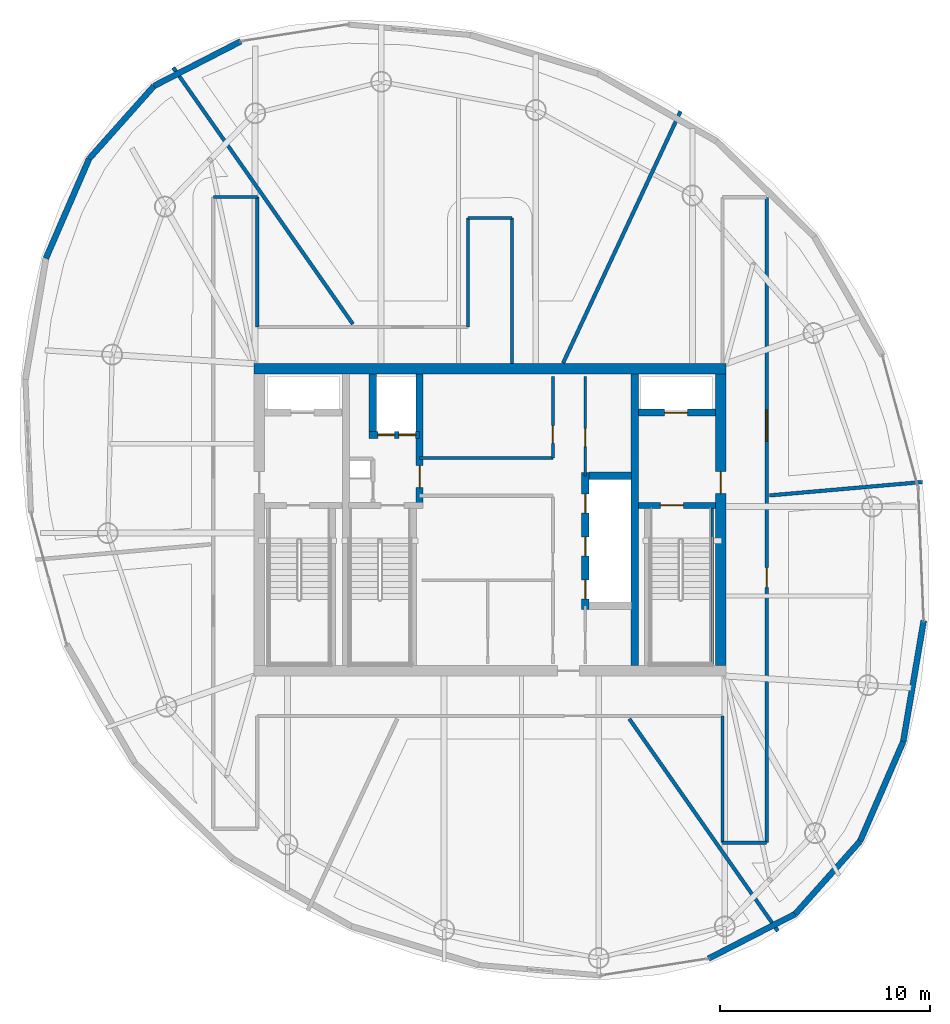
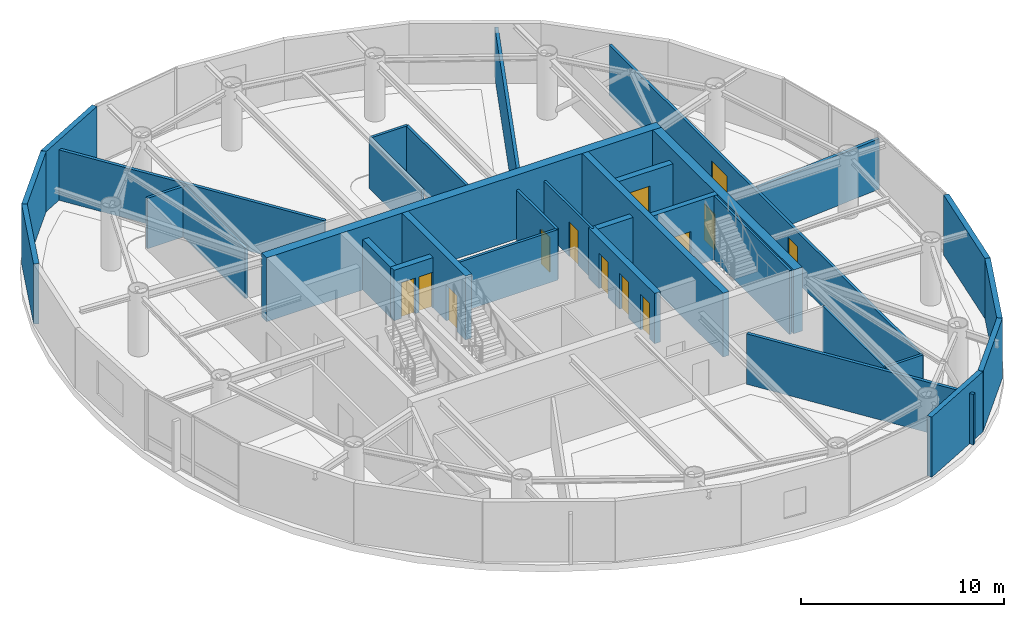
# One storey, part 15 of 20: 33 walls, 13 doors, 13 openings.
"""IFC4 building model written with IfcOpenShell, lengths in metres."""

from ifc_helpers import new_model, si_unit, direction, frame, frame_2d, origin, place, context, subcontext, project, spatial, rectangle, extrude, material, layer, layer_set, type_object, element, fill, save


model = new_model("IFC4")

# Units and contexts
model_context = context("Model", 3, precision=1e-05, world=origin(), true_north=direction((0.0, 1.0)))
body_context = subcontext(model_context, "Body", "Model", "MODEL_VIEW")
ifc_project = project(units=[si_unit("LENGTHUNIT", "METRE"), si_unit("AREAUNIT", "SQUARE_METRE"), si_unit("VOLUMEUNIT", "CUBIC_METRE"), si_unit("PLANEANGLEUNIT", "RADIAN"), si_unit("MASSUNIT", "GRAM", prefix="KILO")], contexts=[model_context])

# Site, building, storey
site_placement = place(None, origin())
site = spatial("IfcSite", under=ifc_project, at=site_placement, CompositionType="ELEMENT")
building_placement = place(site_placement, origin())
building = spatial("IfcBuilding", under=site, at=building_placement, Name="Bramvorn Convention Spire", CompositionType="ELEMENT")
storey_placement = place(building_placement, frame((0.0, 0.0, 242.050048828125)))
storey = spatial("IfcBuildingStorey", under=building, at=storey_placement, Name="L61", CompositionType="ELEMENT", Elevation=242.050048828125)

# Wall
ifc_material_1 = material(Name="Concrete C50/60", Category="concrete")
ifc_layer_1 = layer(ifc_material_1, 0.5)
ifc_layer_set_1 = layer_set([ifc_layer_1], Name="Concrete C50/60 - WL-CORE-500")
wall_type_1 = type_object("IfcWallType", Name="WL-CORE-500", PredefinedType="SHEAR", material=ifc_layer_set_1)
wall_1_placement = place(storey_placement, frame((26.75, 33.199951171875, 0.0), z_axis=(0.0, 0.0, 1.0), x_axis=(1.0, 0.0, 0.0)))
element("IfcWall", 1, at=wall_1_placement, inside=storey, type_object=wall_type_1, Name="L61 North RC core shear wall", PredefinedType="SHEAR", context=body_context, shape_type="SweptSolid", body=[
    extrude(rectangle(XDim=22.5, YDim=0.5, at=frame_2d((11.25, 0.0))), origin(), (0.0, 0.0, 1.0), 3.849853515625),
])

# Wall, opening, door
wall_2_placement = place(storey_placement, frame((49.0, 19.050048828125, 0.0), z_axis=(0.0, 0.0, 1.0), x_axis=(0.0, 1.0, 0.0)))
wall_2 = element("IfcWall", 2, at=wall_2_placement, inside=storey, type_object=wall_type_1, Name="L61 East RC core shear wall", PredefinedType="SHEAR", context=body_context, shape_type="SweptSolid", body=[
    extrude(rectangle(XDim=13.89990234375, YDim=0.5, at=frame_2d((6.949951171875, 0.0))), origin(), (0.0, 0.0, 1.0), 3.849853515625),
])
opening_1_placement = place(wall_2_placement, frame((8.199951171875, 0.0, 0.0)))
opening_1 = element("IfcOpeningElement", 3, at=opening_1_placement, cuts=wall_2, Name="Opening DL-105", PredefinedType="OPENING", context=body_context, shape_type="SweptSolid", body=[
    extrude(rectangle(XDim=1.050048828125, YDim=2.14990234375, at=frame_2d((0.52490234375, 1.074951171875))), frame((0.0, 0.260009765625, 0.0), z_axis=(0.0, -1.0, 0.0), x_axis=(1.0, 0.0, 0.0)), (0.0, 0.0, 1.0), 0.52001953125),
])
ifc_material_2 = material(Name="Smoke-Sealed Fire Lobby Timber-Core Door", Category="wood")
door_type_1 = type_object("IfcDoorType", Name="DR-LOBBY-1050", OperationType="NOTDEFINED", PredefinedType="DOOR", material=ifc_material_2)
door_1_placement = place(opening_1_placement, origin())
door_1 = element("IfcDoor", 4, at=door_1_placement, inside=storey, type_object=door_type_1, Name="L61 East Firefighting Lobby corridor door", OperationType="SINGLE_SWING_LEFT", OverallHeight=2.14990234375, OverallWidth=1.050048828125, PredefinedType="DOOR", context=body_context, shape_type="SweptSolid", body=[
    extrude(rectangle(XDim=1.050048828125, YDim=2.14990234375, at=frame_2d((0.52490234375, 1.074951171875))), frame((0.0, 0.02490234375, 0.0), z_axis=(0.0, -1.0, 0.0), x_axis=(1.0, 0.0, 0.0)), (0.0, 0.0, 1.0), 0.050048828125),
])
fill(opening_1, door_1)

# Wall
ifc_layer_2 = layer(ifc_material_1, 0.35009765625)
ifc_layer_set_2 = layer_set([ifc_layer_2], Name="Concrete C50/60 - WL-CORE-INT-350")
wall_type_2 = type_object("IfcWallType", Name="WL-CORE-INT-350", PredefinedType="SHEAR", material=ifc_layer_set_2)
wall_3_placement = place(storey_placement, frame((44.89990234375, 19.050048828125, 0.0), z_axis=(0.0, 0.0, 1.0), x_axis=(0.0, 1.0, 0.0)))
element("IfcWall", 5, at=wall_3_placement, inside=storey, type_object=wall_type_2, Name="L61 East internal core shear web", PredefinedType="SHEAR", context=body_context, shape_type="SweptSolid", body=[
    extrude(rectangle(XDim=13.89990234375, YDim=0.35009765625, at=frame_2d((6.949951171875, 0.0))), origin(), (0.0, 0.0, 1.0), 3.849853515625),
])

# Wall, opening, door
wall_4_placement = place(storey_placement, frame((45.080078125, 31.1201171875, 0.0), z_axis=(0.0, 0.0, 1.0), x_axis=(1.0, 0.0, 0.0)))
wall_4 = element("IfcWall", 6, at=wall_4_placement, inside=storey, type_object=wall_type_2, Name="L61 FE2 shaft front wall", PredefinedType="SHEAR", context=body_context, shape_type="SweptSolid", body=[
    extrude(rectangle(XDim=3.669921875, YDim=0.35009765625, at=frame_2d((1.8349609375, 0.0))), origin(), (0.0, 0.0, 1.0), 3.0400390625),
])
opening_2_placement = place(wall_4_placement, frame((1.25, 0.0, 0.0)))
opening_2 = element("IfcOpeningElement", 7, at=opening_2_placement, cuts=wall_4, Name="Opening LD-110", PredefinedType="OPENING", context=body_context, shape_type="SweptSolid", body=[
    extrude(rectangle(XDim=1.10009765625, YDim=2.14990234375, at=frame_2d((0.550048828125, 1.074951171875))), frame((0.0, 0.18505859375, 0.0), z_axis=(0.0, -1.0, 0.0), x_axis=(1.0, 0.0, 0.0)), (0.0, 0.0, 1.0), 0.3701171875),
])
ifc_material_3 = material(Name="Firefighting & Service Lift Sliding Landing Door", Category="steel")
door_type_2 = type_object("IfcDoorType", Name="DR-LIFT-LD-1100", OperationType="NOTDEFINED", PredefinedType="DOOR", material=ifc_material_3)
door_2_placement = place(opening_2_placement, origin())
door_2 = element("IfcDoor", 8, at=door_2_placement, inside=storey, type_object=door_type_2, Name="L61 Lift FE2 Sliding Landing Door", OperationType="SLIDING_TO_LEFT", OverallHeight=2.14990234375, OverallWidth=1.10009765625, PredefinedType="DOOR", context=body_context, shape_type="SweptSolid", body=[
    extrude(rectangle(XDim=1.10009765625, YDim=2.14990234375, at=frame_2d((0.550048828125, 1.074951171875))), frame((0.0, 0.02490234375, 0.0), z_axis=(0.0, -1.0, 0.0), x_axis=(1.0, 0.0, 0.0)), (0.0, 0.0, 1.0), 0.050048828125),
])
fill(opening_2, door_2)

wall_5_placement = place(storey_placement, frame((34.639892578125, 26.68994140625, 0.0), z_axis=(0.0, 0.0, 1.0), x_axis=(0.0, 1.0, 0.0)))
wall_5 = element("IfcWall", 9, at=wall_5_placement, inside=storey, type_object=wall_type_2, Name="L61 SV east core shaft wall", PredefinedType="SHEAR", context=body_context, shape_type="SweptSolid", body=[
    extrude(rectangle(XDim=6.260009765625, YDim=0.35009765625, at=frame_2d((3.1298828125, 0.0))), origin(), (0.0, 0.0, 1.0), 3.849853515625),
])
opening_3_placement = place(wall_5_placement, frame((0.85009765625, 0.0, 0.0)))
opening_3 = element("IfcOpeningElement", 10, at=opening_3_placement, cuts=wall_5, Name="Opening DL-105", PredefinedType="OPENING", context=body_context, shape_type="SweptSolid", body=[
    extrude(rectangle(XDim=1.050048828125, YDim=2.14990234375, at=frame_2d((0.52490234375, 1.074951171875))), frame((0.0, 0.18505859375, 0.0), z_axis=(0.0, -1.0, 0.0), x_axis=(1.0, 0.0, 0.0)), (0.0, 0.0, 1.0), 0.3701171875),
])
door_3_placement = place(opening_3_placement, origin())
door_3 = element("IfcDoor", 11, at=door_3_placement, inside=storey, type_object=door_type_1, Name="L61 Core cross-passage door", OperationType="SINGLE_SWING_RIGHT", OverallHeight=2.14990234375, OverallWidth=1.050048828125, PredefinedType="DOOR", context=body_context, shape_type="SweptSolid", body=[
    extrude(rectangle(XDim=1.050048828125, YDim=2.14990234375, at=frame_2d((0.52490234375, 1.074951171875))), frame((0.0, 0.02490234375, 0.0), z_axis=(0.0, -1.0, 0.0), x_axis=(1.0, 0.0, 0.0)), (0.0, 0.0, 1.0), 0.050048828125),
])
fill(opening_3, door_3)

# Wall, openings, doors
wall_6_placement = place(storey_placement, frame((32.22998046875, 30.050048828125, 0.0), z_axis=(0.0, 0.0, 1.0), x_axis=(1.0, 0.0, 0.0)))
wall_6 = element("IfcWall", 12, at=wall_6_placement, inside=storey, type_object=wall_type_2, Name="L61 SV1/SV2 shaft front wall", PredefinedType="SHEAR", context=body_context, shape_type="SweptSolid", body=[
    extrude(rectangle(XDim=2.409912109375, YDim=0.35009765625, at=frame_2d((1.205078125, 0.0))), origin(), (0.0, 0.0, 1.0), 3.0400390625),
])
opening_4_placement = place(wall_6_placement, frame((0.419921875, 0.0, 0.0)))
opening_4 = element("IfcOpeningElement", 13, at=opening_4_placement, cuts=wall_6, Name="Opening LD-080", PredefinedType="OPENING", context=body_context, shape_type="SweptSolid", body=[
    extrude(rectangle(XDim=0.800048828125, YDim=2.14990234375, at=frame_2d((0.39990234375, 1.074951171875))), frame((0.0, 0.18505859375, 0.0), z_axis=(0.0, -1.0, 0.0), x_axis=(1.0, 0.0, 0.0)), (0.0, 0.0, 1.0), 0.3701171875),
])
opening_5_placement = place(wall_6_placement, frame((1.419921875, 0.0, 0.0)))
opening_5 = element("IfcOpeningElement", 14, at=opening_5_placement, cuts=wall_6, Name="Opening LD-080", PredefinedType="OPENING", context=body_context, shape_type="SweptSolid", body=[
    extrude(rectangle(XDim=0.800048828125, YDim=2.14990234375, at=frame_2d((0.39990234375, 1.074951171875))), frame((0.0, 0.18505859375, 0.0), z_axis=(0.0, -1.0, 0.0), x_axis=(1.0, 0.0, 0.0)), (0.0, 0.0, 1.0), 0.3701171875),
])
ifc_material_4 = material(Name="Service Lift Bi-Parting Landing Door", Category="steel")
door_type_3 = type_object("IfcDoorType", Name="DR-LIFT-LD-800", OperationType="NOTDEFINED", PredefinedType="DOOR", material=ifc_material_4)
door_4_placement = place(opening_4_placement, origin())
door_4 = element("IfcDoor", 15, at=door_4_placement, inside=storey, type_object=door_type_3, Name="L61 Lift SV1 Sliding Landing Door", OperationType="SLIDING_TO_LEFT", OverallHeight=2.14990234375, OverallWidth=0.800048828125, PredefinedType="DOOR", context=body_context, shape_type="SweptSolid", body=[
    extrude(rectangle(XDim=0.800048828125, YDim=2.14990234375, at=frame_2d((0.39990234375, 1.074951171875))), frame((0.0, 0.02490234375, 0.0), z_axis=(0.0, -1.0, 0.0), x_axis=(1.0, 0.0, 0.0)), (0.0, 0.0, 1.0), 0.050048828125),
])
fill(opening_4, door_4)
door_5_placement = place(opening_5_placement, origin())
door_5 = element("IfcDoor", 16, at=door_5_placement, inside=storey, type_object=door_type_3, Name="L61 Lift SV2 Sliding Landing Door", OperationType="SLIDING_TO_LEFT", OverallHeight=2.14990234375, OverallWidth=0.800048828125, PredefinedType="DOOR", context=body_context, shape_type="SweptSolid", body=[
    extrude(rectangle(XDim=0.800048828125, YDim=2.14990234375, at=frame_2d((0.39990234375, 1.074951171875))), frame((0.0, 0.02490234375, 0.0), z_axis=(0.0, -1.0, 0.0), x_axis=(1.0, 0.0, 0.0)), (0.0, 0.0, 1.0), 0.050048828125),
])
fill(opening_5, door_5)

# Wall
wall_7_placement = place(storey_placement, frame((32.39990234375, 30.219970703125, 0.0), z_axis=(0.0, 0.0, 1.0), x_axis=(0.0, 1.0, 0.0)))
element("IfcWall", 17, at=wall_7_placement, inside=storey, type_object=wall_type_2, Name="L61 SV1 west hoistway wall", PredefinedType="SHEAR", context=body_context, shape_type="SweptSolid", body=[
    extrude(rectangle(XDim=2.72998046875, YDim=0.35009765625, at=frame_2d((1.364990234375, 0.0))), origin(), (0.0, 0.0, 1.0), 3.0400390625),
])

# Wall, openings, doors
wall_8_placement = place(storey_placement, frame((42.550048828125, 21.72998046875, 0.0), z_axis=(0.0, 0.0, 1.0), x_axis=(0.0, 1.0, 0.0)))
wall_8 = element("IfcWall", 18, at=wall_8_placement, inside=storey, type_object=wall_type_2, Name="L61 High-rise lift bank west wall", PredefinedType="SHEAR", context=body_context, shape_type="SweptSolid", body=[
    extrude(rectangle(XDim=6.5400390625, YDim=0.35009765625, at=frame_2d((3.27001953125, 0.0))), origin(), (0.0, 0.0, 1.0), 3.0400390625),
])
opening_6_placement = place(wall_8_placement, frame((0.5, 0.0, 0.0)))
opening_6 = element("IfcOpeningElement", 19, at=opening_6_placement, cuts=wall_8, Name="Opening LD-090", PredefinedType="OPENING", context=body_context, shape_type="SweptSolid", body=[
    extrude(rectangle(XDim=0.89990234375, YDim=2.14990234375, at=frame_2d((0.449951171875, 1.074951171875))), frame((0.0, 0.18505859375, 0.0), z_axis=(0.0, -1.0, 0.0), x_axis=(1.0, 0.0, 0.0)), (0.0, 0.0, 1.0), 0.3701171875),
])
opening_7_placement = place(wall_8_placement, frame((2.550048828125, 0.0, 0.0)))
opening_7 = element("IfcOpeningElement", 20, at=opening_7_placement, cuts=wall_8, Name="Opening LD-090", PredefinedType="OPENING", context=body_context, shape_type="SweptSolid", body=[
    extrude(rectangle(XDim=0.89990234375, YDim=2.14990234375, at=frame_2d((0.449951171875, 1.074951171875))), frame((0.0, 0.18505859375, 0.0), z_axis=(0.0, -1.0, 0.0), x_axis=(1.0, 0.0, 0.0)), (0.0, 0.0, 1.0), 0.3701171875),
])
opening_8_placement = place(wall_8_placement, frame((4.60009765625, 0.0, 0.0)))
opening_8 = element("IfcOpeningElement", 21, at=opening_8_placement, cuts=wall_8, Name="Opening LD-090", PredefinedType="OPENING", context=body_context, shape_type="SweptSolid", body=[
    extrude(rectangle(XDim=0.89990234375, YDim=2.14990234375, at=frame_2d((0.449951171875, 1.074951171875))), frame((0.0, 0.18505859375, 0.0), z_axis=(0.0, -1.0, 0.0), x_axis=(1.0, 0.0, 0.0)), (0.0, 0.0, 1.0), 0.3701171875),
])
ifc_material_5 = material(Name="Bi-Parting Fire-Rated Lift Landing Door", Category="steel")
door_type_4 = type_object("IfcDoorType", Name="DR-LIFT-LD-900", OperationType="NOTDEFINED", PredefinedType="DOOR", material=ifc_material_5)
door_6_placement = place(opening_6_placement, origin())
door_6 = element("IfcDoor", 22, at=door_6_placement, inside=storey, type_object=door_type_4, Name="L61 Lift PH1 Sliding Landing Door", OperationType="SLIDING_TO_LEFT", OverallHeight=2.14990234375, OverallWidth=0.89990234375, PredefinedType="DOOR", context=body_context, shape_type="SweptSolid", body=[
    extrude(rectangle(XDim=0.89990234375, YDim=2.14990234375, at=frame_2d((0.449951171875, 1.074951171875))), frame((0.0, 0.02490234375, 0.0), z_axis=(0.0, -1.0, 0.0), x_axis=(1.0, 0.0, 0.0)), (0.0, 0.0, 1.0), 0.050048828125),
])
fill(opening_6, door_6)
door_7_placement = place(opening_7_placement, origin())
door_7 = element("IfcDoor", 23, at=door_7_placement, inside=storey, type_object=door_type_4, Name="L61 Lift PH2 Sliding Landing Door", OperationType="SLIDING_TO_LEFT", OverallHeight=2.14990234375, OverallWidth=0.89990234375, PredefinedType="DOOR", context=body_context, shape_type="SweptSolid", body=[
    extrude(rectangle(XDim=0.89990234375, YDim=2.14990234375, at=frame_2d((0.449951171875, 1.074951171875))), frame((0.0, 0.02490234375, 0.0), z_axis=(0.0, -1.0, 0.0), x_axis=(1.0, 0.0, 0.0)), (0.0, 0.0, 1.0), 0.050048828125),
])
fill(opening_7, door_7)
door_8_placement = place(opening_8_placement, origin())
door_8 = element("IfcDoor", 24, at=door_8_placement, inside=storey, type_object=door_type_4, Name="L61 Lift PH3 Sliding Landing Door", OperationType="SLIDING_TO_LEFT", OverallHeight=2.14990234375, OverallWidth=0.89990234375, PredefinedType="DOOR", context=body_context, shape_type="SweptSolid", body=[
    extrude(rectangle(XDim=0.89990234375, YDim=2.14990234375, at=frame_2d((0.449951171875, 1.074951171875))), frame((0.0, 0.02490234375, 0.0), z_axis=(0.0, -1.0, 0.0), x_axis=(1.0, 0.0, 0.0)), (0.0, 0.0, 1.0), 0.050048828125),
])
fill(opening_8, door_8)

# Walls
wall_9_placement = place(storey_placement, frame((42.719970703125, 28.10009765625, 0.0), z_axis=(0.0, 0.0, 1.0), x_axis=(1.0, 0.0, 0.0)))
element("IfcWall", 25, at=wall_9_placement, inside=storey, type_object=wall_type_2, Name="L61 High-rise lift bank north wall", PredefinedType="SHEAR", context=body_context, shape_type="SweptSolid", body=[
    extrude(rectangle(XDim=2.030029296875, YDim=0.35009765625, at=frame_2d((1.01513671875, 0.0))), origin(), (0.0, 0.0, 1.0), 3.0400390625),
])
ifc_material_6 = material(Name="Precast Concrete C40/50 with Bronze Terracotta Rainscreen", Category="masonry")
ifc_layer_3 = layer(ifc_material_6, 0.300048828125)
ifc_layer_set_3 = layer_set([ifc_layer_3], Name="Precast Concrete C40/50 with Bronze Terracotta Rainscreen - WL-EXT-BRONZE-300")
wall_type_3 = type_object("IfcWallType", Name="WL-EXT-BRONZE-300", PredefinedType="SOLIDWALL", material=ifc_layer_set_3)
wall_10_placement = place(storey_placement, frame((55.652587890625, 10.66943359375, 0.0), z_axis=(0.0, 0.0, 1.0), x_axis=(-0.665305013969, -0.746571656566, 0.0)))
element("IfcWall", 26, at=wall_10_placement, inside=storey, type_object=wall_type_3, Name="L61 expressed bronze Gothic lancet pier wall 01", PredefinedType="SOLIDWALL", context=body_context, shape_type="SweptSolid", body=[
    extrude(rectangle(XDim=4.650390625, YDim=0.280029296875, at=frame_2d((2.3251953125, 0.0))), origin(), (0.0, 0.0, 1.0), 3.625),
])
wall_11_placement = place(storey_placement, frame((57.713134765625, 15.421142578125, 0.0), z_axis=(0.0, 0.0, 1.0), x_axis=(-0.397846863497, -0.917451836995, 0.0)))
element("IfcWall", 27, at=wall_11_placement, inside=storey, type_object=wall_type_3, Name="L61 expressed bronze Gothic lancet pier wall 02", PredefinedType="SOLIDWALL", context=body_context, shape_type="SweptSolid", body=[
    extrude(rectangle(XDim=5.17919921875, YDim=0.280029296875, at=frame_2d((2.589599609375, 0.0))), origin(), (0.0, 0.0, 1.0), 3.625),
])
wall_12_placement = place(storey_placement, frame((58.69091796875, 21.198974609375, 0.0), z_axis=(0.0, 0.0, 1.0), x_axis=(-0.166857680579, -0.985980990908, 0.0)))
element("IfcWall", 28, at=wall_12_placement, inside=storey, type_object=wall_type_3, Name="L61 expressed bronze Gothic lancet pier wall 03", PredefinedType="SOLIDWALL", context=body_context, shape_type="SweptSolid", body=[
    extrude(rectangle(XDim=5.85986328125, YDim=0.280029296875, at=frame_2d((2.929931640625, 0.0))), origin(), (0.0, 0.0, 1.0), 3.625),
])
wall_13_placement = place(storey_placement, frame((21.97216796875, 46.7001953125, 0.0), z_axis=(0.0, 0.0, 1.0), x_axis=(0.889373798751, 0.457180758666, 0.0)))
element("IfcWall", 29, at=wall_13_placement, inside=storey, type_object=wall_type_3, Name="L61 expressed bronze Gothic lancet pier wall 12", PredefinedType="SOLIDWALL", context=body_context, shape_type="SweptSolid", body=[
    extrude(rectangle(XDim=4.650634765625, YDim=0.280029296875, at=frame_2d((2.3251953125, 0.0))), origin(), (0.0, 0.0, 1.0), 3.625),
])
wall_14_placement = place(storey_placement, frame((18.878173828125, 43.228271484375, 0.0), z_axis=(0.0, 0.0, 1.0), x_axis=(0.665305013969, 0.746571656566, 0.0)))
element("IfcWall", 30, at=wall_14_placement, inside=storey, type_object=wall_type_3, Name="L61 expressed bronze Gothic lancet pier wall 13", PredefinedType="SOLIDWALL", context=body_context, shape_type="SweptSolid", body=[
    extrude(rectangle(XDim=4.650390625, YDim=0.280029296875, at=frame_2d((2.3251953125, 0.0))), origin(), (0.0, 0.0, 1.0), 3.625),
])
wall_15_placement = place(storey_placement, frame((16.817626953125, 38.4765625, 0.0), z_axis=(0.0, 0.0, 1.0), x_axis=(0.397846863497, 0.917451836995, 0.0)))
element("IfcWall", 31, at=wall_15_placement, inside=storey, type_object=wall_type_3, Name="L61 expressed bronze Gothic lancet pier wall 14", PredefinedType="SOLIDWALL", context=body_context, shape_type="SweptSolid", body=[
    extrude(rectangle(XDim=5.17919921875, YDim=0.280029296875, at=frame_2d((2.589599609375, 0.0))), origin(), (0.0, 0.0, 1.0), 3.625),
])
wall_16_placement = place(storey_placement, frame((52.55859375, 7.197509765625, 0.0), z_axis=(0.0, 0.0, 1.0), x_axis=(-0.889373798751, -0.457180758666, 0.0)))
element("IfcWall", 32, at=wall_16_placement, inside=storey, type_object=wall_type_3, Name="L61 expressed bronze Gothic lancet pier wall 24", PredefinedType="SOLIDWALL", context=body_context, shape_type="SweptSolid", body=[
    extrude(rectangle(XDim=4.650634765625, YDim=0.280029296875, at=frame_2d((2.3251953125, 0.0))), origin(), (0.0, 0.0, 1.0), 3.625),
])

# Wall, opening, door
ifc_material_7 = material(Name="Metal-Stud Demountable Office Partition", Category="gypsum")
ifc_layer_4 = layer(ifc_material_7, 0.1298828125)
ifc_layer_set_4 = layer_set([ifc_layer_4], Name="Metal-Stud Demountable Office Partition - WL-PART-130")
wall_type_4 = type_object("IfcWallType", Name="WL-PART-130", PredefinedType="PARTITIONING", material=ifc_layer_set_4)
wall_17_placement = place(storey_placement, frame((42.550048828125, 28.10009765625, 0.0), z_axis=(0.0, 0.0, 1.0), x_axis=(0.0, 1.0, 0.0)))
wall_17 = element("IfcWall", 33, at=wall_17_placement, inside=storey, type_object=wall_type_4, Name="L61 KA NE IDF wall", PredefinedType="PARTITIONING", context=body_context, shape_type="SweptSolid", body=[
    extrude(rectangle(XDim=4.75, YDim=0.1298828125, at=frame_2d((2.375, 0.0))), origin(), (0.0, 0.0, 1.0), 3.0400390625),
])
opening_9_placement = place(wall_17_placement, frame((1.39990234375, 0.0, 0.0)))
opening_9 = element("IfcOpeningElement", 34, at=opening_9_placement, cuts=wall_17, Name="Opening DC-085", PredefinedType="OPENING", context=body_context, shape_type="SweptSolid", body=[
    extrude(rectangle(XDim=0.85009765625, YDim=2.10009765625, at=frame_2d((0.425048828125, 1.050048828125))), frame((0.0, 0.074951171875, 0.0), z_axis=(0.0, -1.0, 0.0), x_axis=(1.0, 0.0, 0.0)), (0.0, 0.0, 1.0), 0.14990234375),
])
ifc_material_8 = material(Name="Fire-Rated Core Washroom & IDF Door", Category="wood")
door_type_5 = type_object("IfcDoorType", Name="DR-CORE-850", OperationType="NOTDEFINED", PredefinedType="DOOR", material=ifc_material_8)
door_9_placement = place(opening_9_placement, origin())
door_9 = element("IfcDoor", 35, at=door_9_placement, inside=storey, type_object=door_type_5, Name="L61 Core IDF & BMS Room door", OperationType="SINGLE_SWING_LEFT", OverallHeight=2.10009765625, OverallWidth=0.85009765625, PredefinedType="DOOR", context=body_context, shape_type="SweptSolid", body=[
    extrude(rectangle(XDim=0.85009765625, YDim=2.10009765625, at=frame_2d((0.425048828125, 1.050048828125))), frame((0.0, 0.02490234375, 0.0), z_axis=(0.0, -1.0, 0.0), x_axis=(1.0, 0.0, 0.0)), (0.0, 0.0, 1.0), 0.050048828125),
])
fill(opening_9, door_9)

# Wall
ifc_material_9 = material(Name="Acoustic Metal-Stud Tenant/Corridor Partition", Category="gypsum")
ifc_layer_5 = layer(ifc_material_9, 0.14990234375)
ifc_layer_set_5 = layer_set([ifc_layer_5], Name="Acoustic Metal-Stud Tenant/Corridor Partition - WL-PART-150")
wall_type_5 = type_object("IfcWallType", Name="WL-PART-150", PredefinedType="PARTITIONING", material=ifc_layer_set_5)
wall_18_placement = place(storey_placement, frame((34.639892578125, 28.949951171875, 0.0), z_axis=(0.0, 0.0, 1.0), x_axis=(1.0, 0.0, 0.0)))
element("IfcWall", 36, at=wall_18_placement, inside=storey, type_object=wall_type_5, Name="L61 Cross-core passage north wall", PredefinedType="PARTITIONING", context=body_context, shape_type="SweptSolid", body=[
    extrude(rectangle(XDim=6.360107421875, YDim=0.14990234375, at=frame_2d((3.18017578125, 0.0))), origin(), (0.0, 0.0, 1.0), 3.0400390625),
])

# Wall, opening, door
wall_19_placement = place(storey_placement, frame((41.0, 28.949951171875, 0.0), z_axis=(0.0, 0.0, 1.0), x_axis=(0.0, 1.0, 0.0)))
wall_19 = element("IfcWall", 37, at=wall_19_placement, inside=storey, type_object=wall_type_5, Name="L61 Freed north shaft room wall", PredefinedType="PARTITIONING", context=body_context, shape_type="SweptSolid", body=[
    extrude(rectangle(XDim=3.900146484375, YDim=0.14990234375, at=frame_2d((1.9501953125, 0.0))), origin(), (0.0, 0.0, 1.0), 3.0400390625),
])
opening_10_placement = place(wall_19_placement, frame((0.699951171875, 0.0, 0.0)))
opening_10 = element("IfcOpeningElement", 38, at=opening_10_placement, cuts=wall_19, Name="Opening DC-085", PredefinedType="OPENING", context=body_context, shape_type="SweptSolid", body=[
    extrude(rectangle(XDim=0.85009765625, YDim=2.10009765625, at=frame_2d((0.425048828125, 1.050048828125))), frame((0.0, 0.0849609375, 0.0), z_axis=(0.0, -1.0, 0.0), x_axis=(1.0, 0.0, 0.0)), (0.0, 0.0, 1.0), 0.169921875),
])
door_10_placement = place(opening_10_placement, origin())
door_10 = element("IfcDoor", 39, at=door_10_placement, inside=storey, type_object=door_type_5, Name="L61 North core archive door", OperationType="SINGLE_SWING_LEFT", OverallHeight=2.10009765625, OverallWidth=0.85009765625, PredefinedType="DOOR", context=body_context, shape_type="SweptSolid", body=[
    extrude(rectangle(XDim=0.85009765625, YDim=2.10009765625, at=frame_2d((0.425048828125, 1.050048828125))), frame((0.0, 0.02490234375, 0.0), z_axis=(0.0, -1.0, 0.0), x_axis=(1.0, 0.0, 0.0)), (0.0, 0.0, 1.0), 0.050048828125),
])
fill(opening_10, door_10)

# Walls
wall_20_placement = place(storey_placement, frame((26.89990234375, 35.199951171875, 0.0), z_axis=(0.0, 0.0, 1.0), x_axis=(0.0, 1.0, 0.0)))
element("IfcWall", 40, at=wall_20_placement, inside=storey, type_object=wall_type_5, Name="L61 West gallery NE wall", PredefinedType="PARTITIONING", context=body_context, shape_type="SweptSolid", body=[
    extrude(rectangle(XDim=6.199951171875, YDim=0.14990234375, at=frame_2d((3.10009765625, 0.0))), origin(), (0.0, 0.0, 1.0), 3.0400390625),
])
wall_21_placement = place(storey_placement, frame((24.800048828125, 41.39990234375, 0.0), z_axis=(0.0, 0.0, 1.0), x_axis=(1.0, 0.0, 0.0)))
element("IfcWall", 41, at=wall_21_placement, inside=storey, type_object=wall_type_5, Name="L61 West gallery north end", PredefinedType="PARTITIONING", context=body_context, shape_type="SweptSolid", body=[
    extrude(rectangle(XDim=2.099853515625, YDim=0.14990234375, at=frame_2d((1.0498046875, 0.0))), origin(), (0.0, 0.0, 1.0), 3.0400390625),
])

# Wall, openings, doors
wall_22_placement = place(storey_placement, frame((51.199951171875, 10.60009765625, 0.0), z_axis=(0.0, 0.0, 1.0), x_axis=(0.0, 1.0, 0.0)))
wall_22 = element("IfcWall", 42, at=wall_22_placement, inside=storey, type_object=wall_type_5, Name="L61 East N-S gallery outer wall", PredefinedType="PARTITIONING", context=body_context, shape_type="SweptSolid", body=[
    extrude(rectangle(XDim=30.790283203125, YDim=0.14990234375, at=frame_2d((15.39501953125, 0.0))), origin(), (0.0, 0.0, 1.0), 3.0400390625),
])
opening_11_placement = place(wall_22_placement, frame((19.1494140625, 0.0, 0.0)))
opening_11 = element("IfcOpeningElement", 43, at=opening_11_placement, cuts=wall_22, Name="Opening DC-150", PredefinedType="OPENING", context=body_context, shape_type="SweptSolid", body=[
    extrude(rectangle(XDim=1.5, YDim=2.199951171875, at=frame_2d((0.75, 1.10009765625))), frame((0.0, 0.0849609375, 0.0), z_axis=(0.0, -1.0, 0.0), x_axis=(1.0, 0.0, 0.0)), (0.0, 0.0, 1.0), 0.169921875),
])
opening_12_placement = place(wall_22_placement, frame((12.17138671875, 0.0, 0.0)))
opening_12 = element("IfcOpeningElement", 44, at=opening_12_placement, cuts=wall_22, Name="Opening DH-095", PredefinedType="OPENING", context=body_context, shape_type="SweptSolid", body=[
    extrude(rectangle(XDim=0.949951171875, YDim=2.14990234375, at=frame_2d((0.47509765625, 1.074951171875))), frame((0.0, 0.0849609375, 0.0), z_axis=(0.0, -1.0, 0.0), x_axis=(1.0, 0.0, 0.0)), (0.0, 0.0, 1.0), 0.169921875),
])
ifc_material_10 = material(Name="Double-Leaf Smoke-Control Corridor Door", Category="wood")
door_type_6 = type_object("IfcDoorType", Name="DR-COR-1500", OperationType="NOTDEFINED", PredefinedType="DOOR", material=ifc_material_10)
door_11_placement = place(opening_11_placement, origin())
door_11 = element("IfcDoor", 45, at=door_11_placement, inside=storey, type_object=door_type_6, Name="L61 Open-Plan Engineering Office A 1 door", OperationType="DOUBLE_DOOR_SINGLE_SWING", OverallHeight=2.199951171875, OverallWidth=1.5, PredefinedType="DOOR", context=body_context, shape_type="SweptSolid", body=[
    extrude(rectangle(XDim=1.5, YDim=2.199951171875, at=frame_2d((0.75, 1.10009765625))), frame((0.0, 0.02490234375, 0.0), z_axis=(0.0, -1.0, 0.0), x_axis=(1.0, 0.0, 0.0)), (0.0, 0.0, 1.0), 0.050048828125),
])
fill(opening_11, door_11)
ifc_material_11 = material(Name="Solid-Core Acoustic Guestroom Entry Door", Category="wood")
door_type_7 = type_object("IfcDoorType", Name="DR-HOTEL-950", OperationType="NOTDEFINED", PredefinedType="DOOR", material=ifc_material_11)
door_12_placement = place(opening_12_placement, origin())
door_12 = element("IfcDoor", 46, at=door_12_placement, inside=storey, type_object=door_type_7, Name="L61 Staff Kitchenette 6 door", OperationType="SINGLE_SWING_LEFT", OverallHeight=2.14990234375, OverallWidth=0.949951171875, PredefinedType="DOOR", context=body_context, shape_type="SweptSolid", body=[
    extrude(rectangle(XDim=0.949951171875, YDim=2.14990234375, at=frame_2d((0.47509765625, 1.074951171875))), frame((0.0, 0.02490234375, 0.0), z_axis=(0.0, -1.0, 0.0), x_axis=(1.0, 0.0, 0.0)), (0.0, 0.0, 1.0), 0.050048828125),
])
fill(opening_12, door_12)

# Walls
wall_23_placement = place(storey_placement, frame((49.10009765625, 10.60009765625, 0.0), z_axis=(0.0, 0.0, 1.0), x_axis=(0.0, 1.0, 0.0)))
element("IfcWall", 47, at=wall_23_placement, inside=storey, type_object=wall_type_5, Name="L61 East gallery SW wall", PredefinedType="PARTITIONING", context=body_context, shape_type="SweptSolid", body=[
    extrude(rectangle(XDim=6.0498046875, YDim=0.14990234375, at=frame_2d((3.02490234375, 0.0))), origin(), (0.0, 0.0, 1.0), 3.0400390625),
])
wall_24_placement = place(storey_placement, frame((49.10009765625, 10.60009765625, 0.0), z_axis=(0.0, 0.0, 1.0), x_axis=(1.0, 0.0, 0.0)))
element("IfcWall", 48, at=wall_24_placement, inside=storey, type_object=wall_type_5, Name="L61 East gallery south end", PredefinedType="PARTITIONING", context=body_context, shape_type="SweptSolid", body=[
    extrude(rectangle(XDim=2.099853515625, YDim=0.14990234375, at=frame_2d((1.0498046875, 0.0))), origin(), (0.0, 0.0, 1.0), 3.0400390625),
])
wall_25_placement = place(storey_placement, frame((36.949951171875, 35.199951171875, 0.0), z_axis=(0.0, 0.0, 1.0), x_axis=(0.0, 1.0, 0.0)))
element("IfcWall", 49, at=wall_25_placement, inside=storey, type_object=wall_type_5, Name="L61 North spur west wall", PredefinedType="PARTITIONING", context=body_context, shape_type="SweptSolid", body=[
    extrude(rectangle(XDim=5.199951171875, YDim=0.14990234375, at=frame_2d((2.60009765625, 0.0))), origin(), (0.0, 0.0, 1.0), 3.0400390625),
])
wall_26_placement = place(storey_placement, frame((39.050048828125, 33.449951171875, 0.0), z_axis=(0.0, 0.0, 1.0), x_axis=(0.0, 1.0, 0.0)))
element("IfcWall", 50, at=wall_26_placement, inside=storey, type_object=wall_type_5, Name="L61 North spur east wall", PredefinedType="PARTITIONING", context=body_context, shape_type="SweptSolid", body=[
    extrude(rectangle(XDim=6.949951171875, YDim=0.14990234375, at=frame_2d((3.47509765625, 0.0))), origin(), (0.0, 0.0, 1.0), 3.0400390625),
])
wall_27_placement = place(storey_placement, frame((36.949951171875, 40.39990234375, 0.0), z_axis=(0.0, 0.0, 1.0), x_axis=(1.0, 0.0, 0.0)))
element("IfcWall", 51, at=wall_27_placement, inside=storey, type_object=wall_type_5, Name="L61 North spur end wall", PredefinedType="PARTITIONING", context=body_context, shape_type="SweptSolid", body=[
    extrude(rectangle(XDim=2.10009765625, YDim=0.14990234375, at=frame_2d((1.050048828125, 0.0))), origin(), (0.0, 0.0, 1.0), 3.0400390625),
])
ifc_material_12 = material(Name="Double-Stud Acoustic Hotel/Suite Partition", Category="gypsum")
ifc_layer_6 = layer(ifc_material_12, 0.175048828125)
ifc_layer_set_6 = layer_set([ifc_layer_6], Name="Double-Stud Acoustic Hotel/Suite Partition - WL-PART-175")
wall_type_6 = type_object("IfcWallType", Name="WL-PART-175", PredefinedType="PARTITIONING", material=ifc_layer_set_6)
wall_28_placement = place(storey_placement, frame((51.340087890625, 27.1669921875, 0.0), z_axis=(0.0, 0.0, 1.0), x_axis=(0.996193536582, 0.08716901784, 0.0)))
element("IfcWall", 52, at=wall_28_placement, inside=storey, type_object=wall_type_6, Name="L61 Tenant suite partition 1", PredefinedType="PARTITIONING", context=body_context, shape_type="SweptSolid", body=[
    extrude(rectangle(XDim=7.323974609375, YDim=0.175048828125, at=frame_2d((3.662109375, 0.0))), origin(), (0.0, 0.0, 1.0), 3.0400390625),
])
wall_29_placement = place(storey_placement, frame((41.4833984375, 33.469970703125, 0.0), z_axis=(0.0, 0.0, 1.0), x_axis=(0.422609422838, 0.906311908632, 0.0)))
element("IfcWall", 53, at=wall_29_placement, inside=storey, type_object=wall_type_6, Name="L61 Tenant suite partition 2", PredefinedType="PARTITIONING", context=body_context, shape_type="SweptSolid", body=[
    extrude(rectangle(XDim=13.267333984375, YDim=0.175048828125, at=frame_2d((6.6337890625, 0.0))), origin(), (0.0, 0.0, 1.0), 3.0400390625),
])
wall_30_placement = place(storey_placement, frame((31.460205078125, 35.340087890625, 0.0), z_axis=(0.0, 0.0, 1.0), x_axis=(-0.573590650074, 0.819142091549, 0.0)))
element("IfcWall", 54, at=wall_30_placement, inside=storey, type_object=wall_type_6, Name="L61 Tenant suite partition 3", PredefinedType="PARTITIONING", context=body_context, shape_type="SweptSolid", body=[
    extrude(rectangle(XDim=14.940673828125, YDim=0.175048828125, at=frame_2d((7.47021484375, 0.0))), origin(), (0.0, 0.0, 1.0), 3.0400390625),
])
wall_31_placement = place(storey_placement, frame((44.64501953125, 16.510009765625, 0.0), z_axis=(0.0, 0.0, 1.0), x_axis=(0.573564372876, -0.819160491093, 0.0)))
element("IfcWall", 55, at=wall_31_placement, inside=storey, type_object=wall_type_6, Name="L61 Tenant suite partition 6", PredefinedType="PARTITIONING", context=body_context, shape_type="SweptSolid", body=[
    extrude(rectangle(XDim=12.365234375, YDim=0.175048828125, at=frame_2d((6.1826171875, 0.0))), origin(), (0.0, 0.0, 1.0), 3.0400390625),
])

# Wall, opening, door
ifc_layer_7 = layer(ifc_material_1, 0.300048828125)
ifc_layer_set_7 = layer_set([ifc_layer_7], Name="Concrete C50/60 - WL-POD-STAIR-300")
wall_type_7 = type_object("IfcWallType", Name="WL-POD-STAIR-300", PredefinedType="SHEAR", material=ifc_layer_set_7)
wall_32_placement = place(storey_placement, frame((45.080078125, 26.68994140625, 0.0), z_axis=(0.0, 0.0, 1.0), x_axis=(1.0, 0.0, 0.0)))
wall_32 = element("IfcWall", 56, at=wall_32_placement, inside=storey, type_object=wall_type_7, Name="L61 ST2 north fire wall", PredefinedType="SHEAR", context=body_context, shape_type="SweptSolid", body=[
    extrude(rectangle(XDim=3.669921875, YDim=0.300048828125, at=frame_2d((1.8349609375, 0.0))), origin(), (0.0, 0.0, 1.0), 3.849853515625),
])
opening_13_placement = place(wall_32_placement, frame((1.050048828125, 0.0, 0.0)))
opening_13 = element("IfcOpeningElement", 57, at=opening_13_placement, cuts=wall_32, Name="Opening DS-110", PredefinedType="OPENING", context=body_context, shape_type="SweptSolid", body=[
    extrude(rectangle(XDim=1.10009765625, YDim=2.14990234375, at=frame_2d((0.550048828125, 1.074951171875))), frame((0.0, 0.159912109375, 0.0), z_axis=(0.0, -1.0, 0.0), x_axis=(1.0, 0.0, 0.0)), (0.0, 0.0, 1.0), 0.320068359375),
])
ifc_material_13 = material(Name="Fire-Rated Hollow Steel Stairwell Door", Category="steel")
door_type_8 = type_object("IfcDoorType", Name="DR-STAIR-1100", OperationType="NOTDEFINED", PredefinedType="DOOR", material=ifc_material_13)
door_13_placement = place(opening_13_placement, origin())
door_13 = element("IfcDoor", 58, at=door_13_placement, inside=storey, type_object=door_type_8, Name="L61 Stair ST2 fire door", OperationType="SINGLE_SWING_RIGHT", OverallHeight=2.14990234375, OverallWidth=1.10009765625, PredefinedType="DOOR", context=body_context, shape_type="SweptSolid", body=[
    extrude(rectangle(XDim=1.10009765625, YDim=2.14990234375, at=frame_2d((0.550048828125, 1.074951171875))), frame((0.0, 0.02490234375, 0.0), z_axis=(0.0, -1.0, 0.0), x_axis=(1.0, 0.0, 0.0)), (0.0, 0.0, 1.0), 0.050048828125),
])
fill(opening_13, door_13)

# Wall
ifc_layer_8 = layer(ifc_material_1, 0.1201171875)
ifc_layer_set_8 = layer_set([ifc_layer_8], Name="Concrete C50/60 - WL-STAIR-RC-120")
wall_type_8 = type_object("IfcWallType", Name="WL-STAIR-RC-120", PredefinedType="SHEAR", material=ifc_layer_set_8)
wall_33_placement = place(storey_placement, frame((48.60498046875, 19.10009765625, 0.0), z_axis=(0.0, 0.0, 1.0), x_axis=(0.0, 1.0, 0.0)))
element("IfcWall", 59, at=wall_33_placement, inside=storey, type_object=wall_type_8, Name="L61 ST2 east bearing shear wall", PredefinedType="SHEAR", context=body_context, shape_type="SweptSolid", body=[
    extrude(rectangle(XDim=7.449951171875, YDim=0.1201171875, at=frame_2d((3.72509765625, 0.0))), origin(), (0.0, 0.0, 1.0), 3.849853515625),
])

save(model, "model.ifc")
